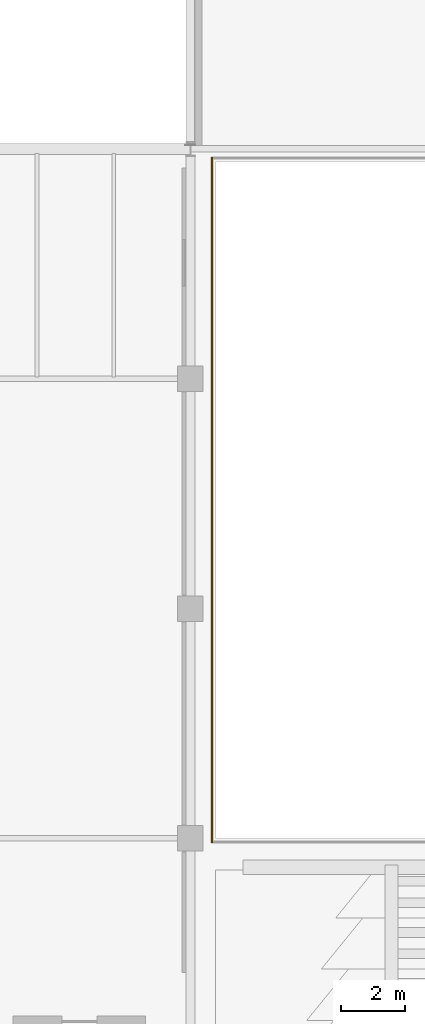
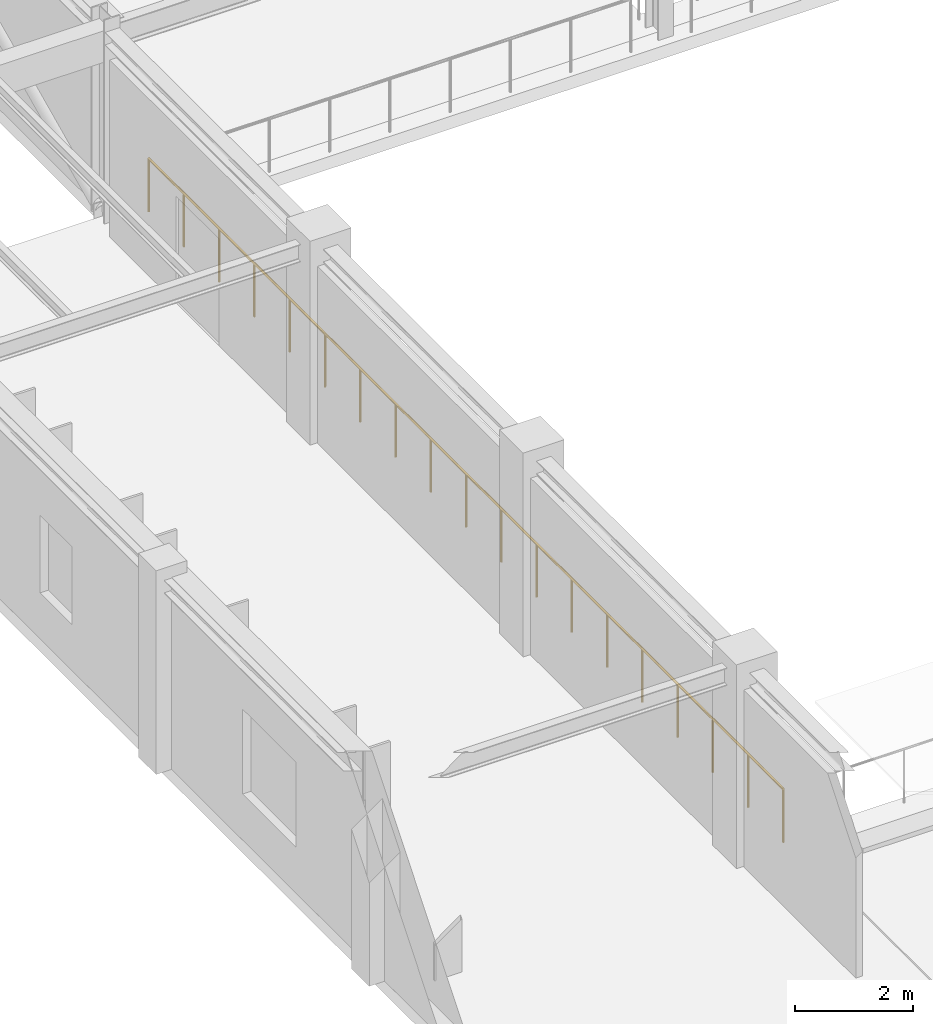
# One storey, part 97 of 104: 1 railing.
"""IFC4 building model written with IfcOpenShell, lengths in metres."""

import ifcopenshell
import ifcopenshell.guid

model = None  # the IFC model being written
_history = None  # IfcOwnerHistory: only IFC2X3 demands one
_inside = {}  # id of a spatial element -> (the spatial element, [elements in it])
_under = {}  # id of a project, library or spatial element -> (it, [spatial elements below it])
_declared = {}  # id of a project -> (the project, [libraries it declares])
_typed = {}  # id of a type object -> (the type object, [elements of that type])
_made_of = {}  # id of a material, layer set ... -> (it, [elements and type objects made of it])


def new_model(schema):
    """Start an empty IFC model of exactly this schema.

    Asked for "IFC4X3", IfcOpenShell would pick the latest addendum, in which some entities
    have other attributes; the version numbers below select the first issue.
    IFC2X3 requires an IfcOwnerHistory on every rooted entity: one is made here for all.
    """
    global model, _history
    if schema == "IFC4X3":
        model = ifcopenshell.file(schema_version=(4, 3, 0, 0))
    else:
        model = ifcopenshell.file(schema=schema)
    _inside.clear()
    _under.clear()
    _declared.clear()
    _typed.clear()
    _made_of.clear()
    _history = None
    if model.schema == "IFC2X3":
        org = make("IfcOrganization", Name="unknown")
        user = make(
            "IfcPersonAndOrganization",
            ThePerson=make("IfcPerson", FamilyName="unknown"),
            TheOrganization=org,
        )
        app = make(
            "IfcApplication",
            ApplicationDeveloper=org,
            Version="unknown",
            ApplicationFullName="unknown",
            ApplicationIdentifier="unknown",
        )
        _history = make(
            "IfcOwnerHistory",
            OwningUser=user,
            OwningApplication=app,
            ChangeAction="ADDED",
            CreationDate=0,
        )
    return model


def make(cls, **values):
    """One entity of the class cls with the attributes given. An attribute that is None is left unset."""
    return model.create_entity(
        cls, **{name: value for name, value in values.items() if value is not None}
    )


def rooted(cls, **values):
    """An entity with a GlobalId (a new one), such as an element, a storey or a relation."""
    return make(cls, GlobalId=ifcopenshell.guid.new(), OwnerHistory=_history, **values)


def si_unit(unit_type, name, prefix=None):
    """IfcSIUnit, for example si_unit("LENGTHUNIT", "METRE", prefix="MILLI")."""
    return make("IfcSIUnit", UnitType=unit_type, Prefix=prefix, Name=name)


def assignment(units):
    """IfcUnitAssignment: the units of a project."""
    return None if units is None else make("IfcUnitAssignment", Units=units)


def point(xyz):
    """IfcCartesianPoint."""
    return None if xyz is None else make("IfcCartesianPoint", Coordinates=xyz)


def direction(xyz):
    """IfcDirection."""
    return None if xyz is None else make("IfcDirection", DirectionRatios=xyz)


def frame(location, z_axis=None, x_axis=None):
    """IfcAxis2Placement3D, a coordinate frame: its origin and axes. An axis left out is left unset."""
    return make(
        "IfcAxis2Placement3D",
        Location=point(location),
        Axis=direction(z_axis),
        RefDirection=direction(x_axis),
    )


def frame_2d(location, x_axis=None):
    """IfcAxis2Placement2D, a coordinate frame in the plane: its origin and x axis."""
    return make(
        "IfcAxis2Placement2D", Location=point(location), RefDirection=direction(x_axis)
    )


def origin():
    """The frame at (0, 0, 0) with its axes left unset."""
    return frame((0.0, 0.0, 0.0))


def origin_2d():
    """The frame at (0, 0) in the plane with its x axis left unset."""
    return frame_2d((0.0, 0.0))


def place(relative_to, where):
    """IfcLocalPlacement: puts the frame where relative to a parent placement (None: the world)."""
    return make(
        "IfcLocalPlacement", PlacementRelTo=relative_to, RelativePlacement=where
    )


def context(
    kind, dimensions, precision=None, world=None, true_north=None, identifier=None
):
    """IfcGeometricRepresentationContext, for example the 3D "Model" context."""
    return make(
        "IfcGeometricRepresentationContext",
        ContextIdentifier=identifier,
        ContextType=kind,
        CoordinateSpaceDimension=dimensions,
        Precision=precision,
        WorldCoordinateSystem=world,
        TrueNorth=true_north,
    )


def subcontext(parent, identifier, kind, view, scale=None):
    """IfcGeometricRepresentationSubContext, for example "Body" below "Model"."""
    return make(
        "IfcGeometricRepresentationSubContext",
        ContextIdentifier=identifier,
        ContextType=kind,
        ParentContext=parent,
        TargetScale=scale,
        TargetView=view,
    )


def project(units=None, contexts=None):
    """IfcProject with its units and contexts."""
    return rooted(
        "IfcProject",
        Name="project",
        RepresentationContexts=contexts,
        UnitsInContext=assignment(units),
    )


def spatial(cls, under=None, at=None, **own):
    """A site, building, storey or space (cls), placed at a placement, below another one or the project."""
    s = rooted(cls, ObjectPlacement=at, **own)
    if under is not None:
        _under.setdefault(under.id(), (under, []))[1].append(s)
    return s


def profile(cls, at=None, kind="AREA", **sizes):
    """A parametric profile (cls). Its sizes go by their IFC names, for example OverallWidth=200.0."""
    return make(cls, ProfileType=kind, Position=at, **sizes)


def circle(**sizes):
    """IfcCircleProfileDef."""
    return profile("IfcCircleProfileDef", **sizes)


def extrude(swept, where, along, depth):
    """IfcExtrudedAreaSolid: the profile swept, set in the frame where, extruded along a direction by depth."""
    return make(
        "IfcExtrudedAreaSolid",
        SweptArea=swept,
        Position=where,
        ExtrudedDirection=direction(along),
        Depth=depth,
    )


def shape(context_of_items, identifier, shape_type, items):
    """IfcShapeRepresentation: the items that make up one representation, for example the "Body"."""
    return make(
        "IfcShapeRepresentation",
        ContextOfItems=context_of_items,
        RepresentationIdentifier=identifier,
        RepresentationType=shape_type,
        Items=items,
    )


def material(Name=None, Category=None):
    """IfcMaterial."""
    return make("IfcMaterial", Name=Name, Category=Category)


def material_profile(
    of_material, cross_section, Name=None, Category=None, Priority=None
):
    """IfcMaterialProfile: a cross section and its material."""
    return make(
        "IfcMaterialProfile",
        Name=Name,
        Material=of_material,
        Profile=cross_section,
        Priority=Priority,
        Category=Category,
    )


def profile_set(profiles, Name=None, composite=None):
    """IfcMaterialProfileSet."""
    return make(
        "IfcMaterialProfileSet",
        Name=Name,
        MaterialProfiles=profiles,
        CompositeProfile=composite,
    )


def made_of(thing, what):
    """Note that an element or type object is made of a material, layer set ...; save() writes the relation."""
    if what is not None:
        _made_of.setdefault(what.id(), (what, []))[1].append(thing)
    return thing


def type_object(cls, material=None, **own):
    """A type object (cls), such as IfcWallType, which elements share."""
    return made_of(rooted(cls, **own), material)


def element(
    cls,
    number,
    at=None,
    inside=None,
    cuts=None,
    type_object=None,
    material=None,
    context=None,
    identifier="Body",
    shape_type=None,
    held_by="IfcProductDefinitionShape",
    body=None,
    shapes=None,
    **own,
):
    """One element of the class cls, such as IfcWall. Its Tag is "e" and its number.

    at: its placement. inside: the storey or other place that contains it. cuts: it is an
    opening in that element (IfcRelVoidsElement). A single representation is given by context,
    identifier, shape_type and body (its items); several are given by shapes. held_by: the class
    of the entity that holds the representations. save() writes the other relations.
    """
    e = rooted(cls, Tag="e%d" % number, ObjectPlacement=at, **own)
    if body is not None:
        shapes = [shape(context, identifier, shape_type, body)]
    if shapes is not None:
        e.Representation = make(held_by, Representations=shapes)
    if inside is not None:
        _inside.setdefault(inside.id(), (inside, []))[1].append(e)
    if cuts is not None:
        rooted(
            "IfcRelVoidsElement", RelatingBuildingElement=cuts, RelatedOpeningElement=e
        )
    if type_object is not None:
        _typed.setdefault(type_object.id(), (type_object, []))[1].append(e)
    return made_of(e, material)


def aggregate(whole, parts):
    """IfcRelAggregates: a whole, such as a stair, and the parts it consists of."""
    return rooted("IfcRelAggregates", RelatingObject=whole, RelatedObjects=parts)


def save(model, path):
    """Write the relations noted so far, then the file.

    IfcRelAggregates (storeys below a building ...), IfcRelContainedInSpatialStructure (elements
    in a storey), IfcRelDefinesByType, IfcRelAssociatesMaterial and IfcRelDeclares: one each for
    every whole, place, type object, material and project.
    """
    for whole, parts in _under.values():
        aggregate(whole, parts)
    for where, things in _inside.values():
        rooted(
            "IfcRelContainedInSpatialStructure",
            RelatedElements=things,
            RelatingStructure=where,
        )
    for kind, things in _typed.values():
        rooted("IfcRelDefinesByType", RelatedObjects=things, RelatingType=kind)
    for what, things in _made_of.values():
        rooted("IfcRelAssociatesMaterial", RelatedObjects=things, RelatingMaterial=what)
    for by, libraries in _declared.values():
        rooted("IfcRelDeclares", RelatingContext=by, RelatedDefinitions=libraries)
    model.write(path)


model = new_model("IFC4")

# Units and contexts
model_context = context("Model", 3, precision=1e-05, world=origin(), true_north=direction((0.0, 1.0)))
body_context = subcontext(model_context, "Body", "Model", "MODEL_VIEW")
ifc_project = project(units=[si_unit("LENGTHUNIT", "METRE"), si_unit("AREAUNIT", "SQUARE_METRE"), si_unit("VOLUMEUNIT", "CUBIC_METRE"), si_unit("PLANEANGLEUNIT", "RADIAN"), si_unit("MASSUNIT", "GRAM", prefix="KILO")], contexts=[model_context])

# Site, building, storey
site_placement = place(None, origin())
site = spatial("IfcSite", under=ifc_project, at=site_placement, CompositionType="ELEMENT")
building_placement = place(site_placement, origin())
building = spatial("IfcBuilding", under=site, at=building_placement, Name="Tazoul Stagehouse", CompositionType="ELEMENT")
storey_placement = place(building_placement, frame((0.0, 0.0, 9.0)))
storey = spatial("IfcBuildingStorey", under=building, at=storey_placement, Name="L02", CompositionType="ELEMENT", Elevation=9.0)

# Railing
ifc_material = material(Name="Brushed Stainless Steel 316L", Category="steel")
ifc_material_profile = material_profile(ifc_material, circle(Radius=0.02392578125, at=origin_2d()), Name="SS RAIL D48")
ifc_profile_set = profile_set([ifc_material_profile], Name="Brushed Stainless Steel 316L")
railing_type = type_object("IfcRailingType", Name="Architectural Guardrail H1120", PredefinedType="GUARDRAIL", material=ifc_profile_set)
railing_placement = place(storey_placement, frame((58.280029296875, 87.52001953125, 0.0)))
element("IfcRailing", 1, at=railing_placement, inside=storey, type_object=railing_type, Name="L02 Open-Edge Guard GRD-01 (GRD-VOID1-W1)", PredefinedType="GUARDRAIL", context=body_context, shape_type="SweptSolid", body=[
    extrude(circle(Radius=0.02392578125, at=origin_2d()), frame((0.0, 0.0, 1.09619140625), z_axis=(0.0, -1.0, 0.0), x_axis=(1.0, 0.0, 0.0)), (0.0, 0.0, 1.0), 21.43994140625),
    extrude(circle(Radius=0.02099609375, at=origin_2d()), origin(), (0.0, 0.0, 1.0), 1.072021484375),
    extrude(circle(Radius=0.02099609375, at=origin_2d()), frame((0.0, -1.191162109375, 0.0)), (0.0, 0.0, 1.0), 1.072021484375),
    extrude(circle(Radius=0.02099609375, at=origin_2d()), frame((0.0, -2.38232421875, 0.0)), (0.0, 0.0, 1.0), 1.072021484375),
    extrude(circle(Radius=0.02099609375, at=origin_2d()), frame((0.0, -3.5732421875, 0.0)), (0.0, 0.0, 1.0), 1.072021484375),
    extrude(circle(Radius=0.02099609375, at=origin_2d()), frame((0.0, -4.764404296875, 0.0)), (0.0, 0.0, 1.0), 1.072021484375),
    extrude(circle(Radius=0.02099609375, at=origin_2d()), frame((0.0, -5.95556640625, 0.0)), (0.0, 0.0, 1.0), 1.072021484375),
    extrude(circle(Radius=0.02099609375, at=origin_2d()), frame((0.0, -7.146728515625, 0.0)), (0.0, 0.0, 1.0), 1.072021484375),
    extrude(circle(Radius=0.02099609375, at=origin_2d()), frame((0.0, -8.337646484375, 0.0)), (0.0, 0.0, 1.0), 1.072021484375),
    extrude(circle(Radius=0.02099609375, at=origin_2d()), frame((0.0, -9.52880859375, 0.0)), (0.0, 0.0, 1.0), 1.072021484375),
    extrude(circle(Radius=0.02099609375, at=origin_2d()), frame((0.0, -10.719970703125, 0.0)), (0.0, 0.0, 1.0), 1.072021484375),
    extrude(circle(Radius=0.02099609375, at=origin_2d()), frame((0.0, -11.9111328125, 0.0)), (0.0, 0.0, 1.0), 1.072021484375),
    extrude(circle(Radius=0.02099609375, at=origin_2d()), frame((0.0, -13.102294921875, 0.0)), (0.0, 0.0, 1.0), 1.072021484375),
    extrude(circle(Radius=0.02099609375, at=origin_2d()), frame((0.0, -14.293212890625, 0.0)), (0.0, 0.0, 1.0), 1.072021484375),
    extrude(circle(Radius=0.02099609375, at=origin_2d()), frame((0.0, -15.484375, 0.0)), (0.0, 0.0, 1.0), 1.072021484375),
    extrude(circle(Radius=0.02099609375, at=origin_2d()), frame((0.0, -16.675537109375, 0.0)), (0.0, 0.0, 1.0), 1.072021484375),
    extrude(circle(Radius=0.02099609375, at=origin_2d()), frame((0.0, -17.86669921875, 0.0)), (0.0, 0.0, 1.0), 1.072021484375),
    extrude(circle(Radius=0.02099609375, at=origin_2d()), frame((0.0, -19.0576171875, 0.0)), (0.0, 0.0, 1.0), 1.072021484375),
    extrude(circle(Radius=0.02099609375, at=origin_2d()), frame((0.0, -20.248779296875, 0.0)), (0.0, 0.0, 1.0), 1.072021484375),
    extrude(circle(Radius=0.02099609375, at=origin_2d()), frame((0.0, -21.43994140625, 0.0)), (0.0, 0.0, 1.0), 1.072021484375),
])

save(model, "model.ifc")
